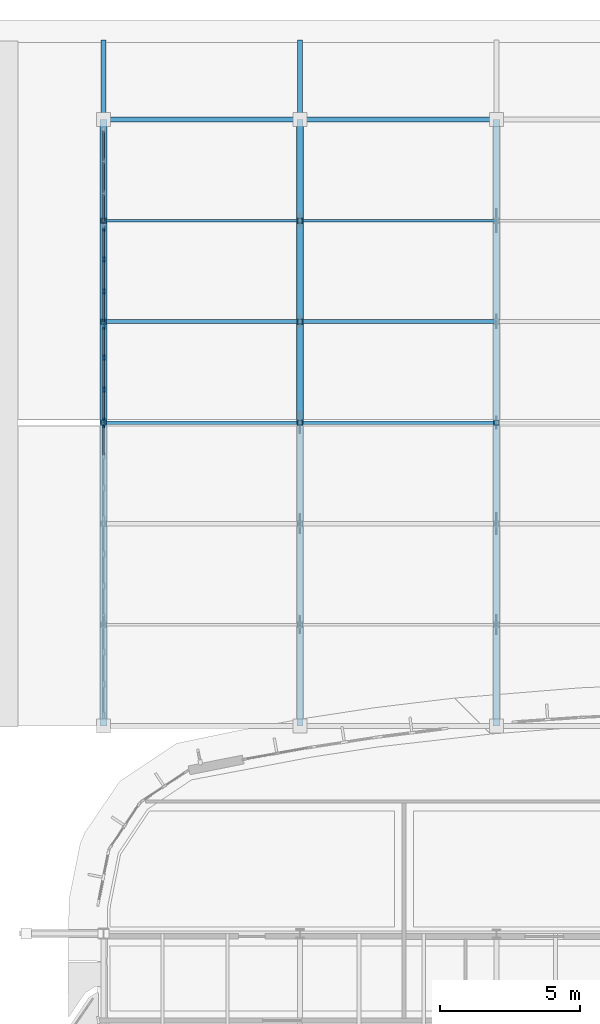
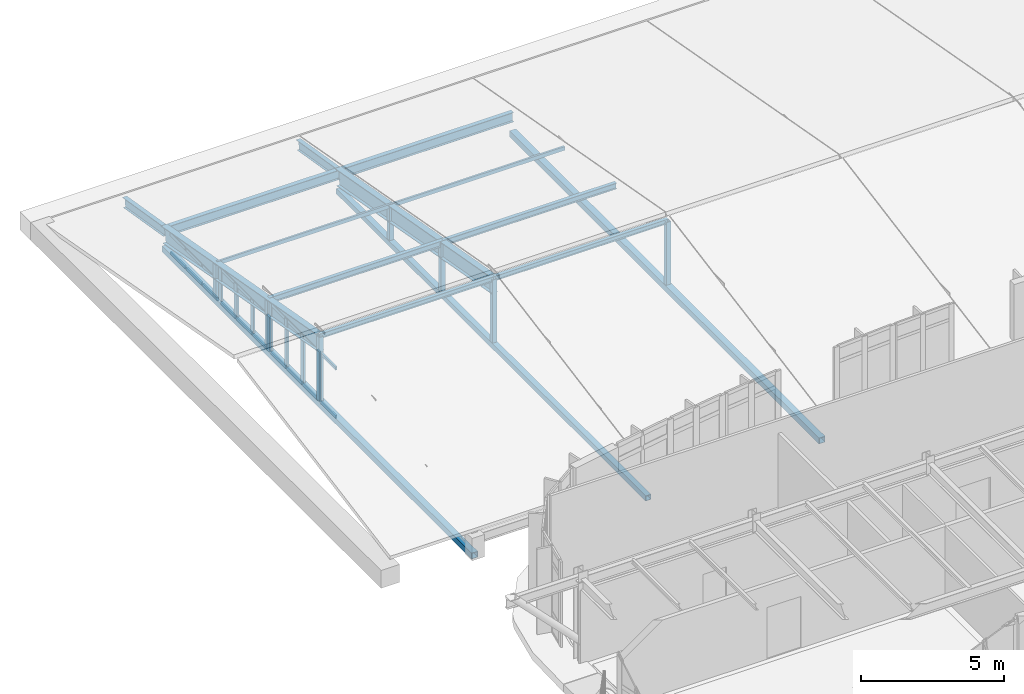
# One storey, part 37 of 105: 45 members, 6 beams, 4 elements without a shape of their own.
"""IFC4 building model written with IfcOpenShell, lengths in metres."""

from ifc_helpers import new_model, si_unit, direction, frame, origin, origin_2d, place, context, subcontext, project, spatial, rectangle, hollow_rectangle, i_section, extrude, material, material_profile, profile_set, type_object, element, aggregate, save


model = new_model("IFC4")

# Units and contexts
model_context = context("Model", 3, precision=1e-05, world=origin(), true_north=direction((0.0, 1.0)))
body_context = subcontext(model_context, "Body", "Model", "MODEL_VIEW")
ifc_project = project(units=[si_unit("LENGTHUNIT", "METRE"), si_unit("AREAUNIT", "SQUARE_METRE"), si_unit("VOLUMEUNIT", "CUBIC_METRE"), si_unit("PLANEANGLEUNIT", "RADIAN"), si_unit("MASSUNIT", "GRAM", prefix="KILO")], contexts=[model_context])

# Site, building, storey
site_placement = place(None, origin())
site = spatial("IfcSite", under=ifc_project, at=site_placement, CompositionType="ELEMENT")
building_placement = place(site_placement, origin())
building = spatial("IfcBuilding", under=site, at=building_placement, Name="Corveleigh Park Community Centre", CompositionType="ELEMENT")
storey_placement = place(building_placement, frame((0.0, 0.0, 8.699951171875)))
storey = spatial("IfcBuildingStorey", under=building, at=storey_placement, Name="L02", CompositionType="ELEMENT", Elevation=8.699951171875)

# Beams
ifc_material_1 = material(Name="Steel S355", Category="steel")
ifc_material_profile_1 = material_profile(ifc_material_1, i_section(OverallWidth=0.177978515625, OverallDepth=0.406494140625, WebThickness=0.0078125, FlangeThickness=0.0126953125, at=origin_2d()), Name="UKB 406x178x60", Category="steel")
ifc_profile_set_1 = profile_set([ifc_material_profile_1], Name="Steel S355")
beam_type_1 = type_object("IfcBeamType", Name="BM-STL-UKB406x60", PredefinedType="BEAM", material=ifc_profile_set_1)
for number, where, z_axis, x_axis, name in (
    (1, (11.205078125, 114.39990234375, 0.716796875), (1.0, 0.0, 0.0), (0.0, 1.0, 0.0), "V2 Eave Tie Beam"),
    (2, (18.205078125, 114.39990234375, 0.716796875), (1.0, 0.0, 0.0), (0.0, 1.0, 0.0), "V2 Eave Tie Beam"),
):
    element("IfcBeam", number, at=place(storey_placement, frame(where, z_axis=z_axis, x_axis=x_axis)), inside=storey, type_object=beam_type_1, Name=name, PredefinedType="BEAM", context=body_context, shape_type="SweptSolid", body=[
        extrude(i_section(OverallWidth=0.177978515625, OverallDepth=0.406494140625, WebThickness=0.0078125, FlangeThickness=0.0126953125, at=origin_2d()), origin(), (0.0, 0.0, 1.0), 6.989990234375),
    ])
ifc_material_profile_2 = material_profile(ifc_material_1, i_section(OverallWidth=0.1787109375, OverallDepth=0.409423828125, WebThickness=0.0087890625, FlangeThickness=0.014404296875, at=origin_2d()), Name="UKB 406x178x67", Category="steel")
ifc_profile_set_2 = profile_set([ifc_material_profile_2], Name="Steel S355")
beam_type_2 = type_object("IfcBeamType", Name="BM-STL-UKB406x67", PredefinedType="BEAM", material=ifc_profile_set_2)
for number, where, z_axis, x_axis, name in (
    (3, (11.199951171875, 114.409912109375, 0.7236328125), (0.0, 0.986431224699, -0.164175025322), (-1.0, 0.0, 0.0), "V2 North Sports Eave Outrigger 1"),
    (4, (18.199951171875, 114.409912109375, 0.7236328125), (0.0, 0.986431224699, -0.164175025322), (-1.0, 0.0, 0.0), "V2 North Sports Eave Outrigger 2"),
):
    element("IfcBeam", number, at=place(storey_placement, frame(where, z_axis=z_axis, x_axis=x_axis)), inside=storey, type_object=beam_type_2, Name=name, PredefinedType="BEAM", context=body_context, shape_type="SweptSolid", body=[
        extrude(i_section(OverallWidth=0.1787109375, OverallDepth=0.409423828125, WebThickness=0.0087890625, FlangeThickness=0.014404296875, at=origin_2d()), origin(), (0.0, 0.0, 1.0), 2.828369140625),
    ])
ifc_material_profile_3 = material_profile(ifc_material_1, i_section(OverallWidth=0.25439453125, OverallDepth=0.6875, WebThickness=0.01318359375, FlangeThickness=0.02099609375, at=origin_2d()), Name="UKB 686x254x152", Category="steel")
ifc_profile_set_3 = profile_set([ifc_material_profile_3], Name="Steel S355")
beam_type_3 = type_object("IfcBeamType", Name="BM-STL-UKB686x152", PredefinedType="BEAM", material=ifc_profile_set_3)
for number, where, z_axis, x_axis, name in (
    (5, (11.199951171875, 103.60009765625, 2.54833984375), (0.0, 0.984084187124, -0.177702877447), (-1.0, 0.0, 0.0), "V2 Portal Rafter N1"),
    (6, (18.199951171875, 103.60009765625, 2.54833984375), (0.0, 0.984084187124, -0.177702877447), (-1.0, 0.0, 0.0), "V2 Portal Rafter N2"),
):
    element("IfcBeam", number, at=place(storey_placement, frame(where, z_axis=z_axis, x_axis=x_axis)), inside=storey, type_object=beam_type_3, Name=name, PredefinedType="BEAM", context=body_context, shape_type="SweptSolid", body=[
        extrude(i_section(OverallWidth=0.25439453125, OverallDepth=0.6875, WebThickness=0.01318359375, FlangeThickness=0.02099609375, at=origin_2d()), origin(), (0.0, 0.0, 1.0), 10.974365234375),
    ])

# Curtain wall, member
ifc_material_2 = material(Name="Anodised aluminium 6063-T6", Category="aluminium")
curtain_wall_type = type_object("IfcCurtainWallType", Name="CW-SYS-V2-HALL", PredefinedType="NOTDEFINED", material=ifc_material_2)
curtain_wall_1_placement = place(storey_placement, origin())
curtain_wall_1 = element("IfcCurtainWall", 7, at=curtain_wall_1_placement, inside=storey, type_object=curtain_wall_type, Name="Sports Hall W Gable Clerestory 3", PredefinedType="NOTDEFINED")
ifc_material_profile_4 = material_profile(ifc_material_2, rectangle(XDim=0.070068359375, YDim=0.199951171875, at=origin_2d()), Name="ALU-M70x200", Category="aluminium")
ifc_profile_set_4 = profile_set([ifc_material_profile_4], Name="Anodised aluminium 6063-T6")
member_type_1 = type_object("IfcMemberType", Name="CWM-70x200", PredefinedType="MULLION", material=ifc_profile_set_4)
member_1_placement = place(storey_placement, frame((11.199951171875, 103.52490234375, 0.0), z_axis=(0.0, 0.0, 1.0), x_axis=(-1.0, 0.0, 0.0)))
member_1 = element("IfcMember", 8, at=member_1_placement, type_object=member_type_1, Name="CW04 mullion 4", PredefinedType="MULLION", context=body_context, shape_type="SweptSolid", body=[
    extrude(rectangle(XDim=0.070068359375, YDim=0.199951171875, at=origin_2d()), origin(), (0.0, 0.0, 1.0), 2.135009765625),
])

# Curtain wall, members
curtain_wall_2_placement = place(storey_placement, origin())
curtain_wall_2 = element("IfcCurtainWall", 9, at=curtain_wall_2_placement, inside=storey, type_object=curtain_wall_type, Name="Sports Hall W Gable Clerestory 4", PredefinedType="NOTDEFINED")
member_2_placement = place(storey_placement, frame((11.199951171875, 103.675048828125, 0.0), z_axis=(0.0, 0.0, 1.0), x_axis=(-1.0, 0.0, 0.0)))
member_2 = element("IfcMember", 10, at=member_2_placement, type_object=member_type_1, Name="CW04 mullion 1", PredefinedType="MULLION", context=body_context, shape_type="SweptSolid", body=[
    extrude(rectangle(XDim=0.070068359375, YDim=0.199951171875, at=origin_2d()), origin(), (0.0, 0.0, 1.0), 2.135009765625),
])
member_3_placement = place(storey_placement, frame((11.199951171875, 104.780029296875, 0.0), z_axis=(0.0, 0.0, 1.0), x_axis=(-1.0, 0.0, 0.0)))
member_3 = element("IfcMember", 11, at=member_3_placement, type_object=member_type_1, Name="CW04 mullion 2", PredefinedType="MULLION", context=body_context, shape_type="SweptSolid", body=[
    extrude(rectangle(XDim=0.070068359375, YDim=0.199951171875, at=origin_2d()), origin(), (0.0, 0.0, 1.0), 2.135009765625),
])
member_4_placement = place(storey_placement, frame((11.199951171875, 105.919921875, 0.0), z_axis=(0.0, 0.0, 1.0), x_axis=(-1.0, 0.0, 0.0)))
member_4 = element("IfcMember", 12, at=member_4_placement, type_object=member_type_1, Name="CW04 mullion 3", PredefinedType="MULLION", context=body_context, shape_type="SweptSolid", body=[
    extrude(rectangle(XDim=0.070068359375, YDim=0.199951171875, at=origin_2d()), origin(), (0.0, 0.0, 1.0), 2.135009765625),
])
member_5_placement = place(storey_placement, frame((11.199951171875, 107.02490234375, 0.0), z_axis=(0.0, 0.0, 1.0), x_axis=(-1.0, 0.0, 0.0)))
member_5 = element("IfcMember", 13, at=member_5_placement, type_object=member_type_1, Name="CW04 mullion 4", PredefinedType="MULLION", context=body_context, shape_type="SweptSolid", body=[
    extrude(rectangle(XDim=0.070068359375, YDim=0.199951171875, at=origin_2d()), origin(), (0.0, 0.0, 1.0), 2.135009765625),
])

curtain_wall_3_placement = place(storey_placement, origin())
curtain_wall_3 = element("IfcCurtainWall", 14, at=curtain_wall_3_placement, inside=storey, type_object=curtain_wall_type, Name="Sports Hall W Gable Clerestory 5", PredefinedType="NOTDEFINED")
member_6_placement = place(storey_placement, frame((11.199951171875, 107.175048828125, 0.0), z_axis=(0.0, 0.0, 1.0), x_axis=(-1.0, 0.0, 0.0)))
member_6 = element("IfcMember", 15, at=member_6_placement, type_object=member_type_1, Name="CW04 mullion 1", PredefinedType="MULLION", context=body_context, shape_type="SweptSolid", body=[
    extrude(rectangle(XDim=0.070068359375, YDim=0.199951171875, at=origin_2d()), origin(), (0.0, 0.0, 1.0), 1.5029296875),
])
member_7_placement = place(storey_placement, frame((11.199951171875, 108.280029296875, 0.0), z_axis=(0.0, 0.0, 1.0), x_axis=(-1.0, 0.0, 0.0)))
member_7 = element("IfcMember", 16, at=member_7_placement, type_object=member_type_1, Name="CW04 mullion 2", PredefinedType="MULLION", context=body_context, shape_type="SweptSolid", body=[
    extrude(rectangle(XDim=0.070068359375, YDim=0.199951171875, at=origin_2d()), origin(), (0.0, 0.0, 1.0), 1.5029296875),
])
member_8_placement = place(storey_placement, frame((11.199951171875, 109.419921875, 0.0), z_axis=(0.0, 0.0, 1.0), x_axis=(-1.0, 0.0, 0.0)))
member_8 = element("IfcMember", 17, at=member_8_placement, type_object=member_type_1, Name="CW04 mullion 3", PredefinedType="MULLION", context=body_context, shape_type="SweptSolid", body=[
    extrude(rectangle(XDim=0.070068359375, YDim=0.199951171875, at=origin_2d()), origin(), (0.0, 0.0, 1.0), 1.5029296875),
])
member_9_placement = place(storey_placement, frame((11.199951171875, 110.52490234375, 0.0), z_axis=(0.0, 0.0, 1.0), x_axis=(-1.0, 0.0, 0.0)))
member_9 = element("IfcMember", 18, at=member_9_placement, type_object=member_type_1, Name="CW04 mullion 4", PredefinedType="MULLION", context=body_context, shape_type="SweptSolid", body=[
    extrude(rectangle(XDim=0.070068359375, YDim=0.199951171875, at=origin_2d()), origin(), (0.0, 0.0, 1.0), 1.5029296875),
])

# Member
ifc_material_profile_5 = material_profile(ifc_material_2, rectangle(XDim=0.06494140625, YDim=0.139892578125, at=origin_2d()), Name="ALU-T65x140", Category="aluminium")
ifc_profile_set_5 = profile_set([ifc_material_profile_5], Name="Anodised aluminium 6063-T6")
member_type_2 = type_object("IfcMemberType", Name="CWT-65x140", PredefinedType="USERDEFINED", material=ifc_profile_set_5)
member_10_placement = place(storey_placement, frame((11.199951171875, 102.455078125, 0.032470703125), z_axis=(0.0, 1.0, 0.0), x_axis=(-1.0, 0.0, 0.0)))
member_10 = element("IfcMember", 19, at=member_10_placement, type_object=member_type_2, Name="CW04 transom 3.1", ObjectType="TRANSOM", PredefinedType="USERDEFINED", context=body_context, shape_type="SweptSolid", body=[
    extrude(rectangle(XDim=0.06494140625, YDim=0.139892578125, at=origin_2d()), origin(), (0.0, 0.0, 1.0), 1.034912109375),
])

member_11_placement = place(storey_placement, frame((11.199951171875, 102.455078125, 2.1025390625), z_axis=(0.0, 1.0, 0.0), x_axis=(-1.0, 0.0, 0.0)))
member_11 = element("IfcMember", 20, at=member_11_placement, type_object=member_type_2, Name="CW04 transom 3.2", ObjectType="TRANSOM", PredefinedType="USERDEFINED", context=body_context, shape_type="SweptSolid", body=[
    extrude(rectangle(XDim=0.06494140625, YDim=0.139892578125, at=origin_2d()), origin(), (0.0, 0.0, 1.0), 1.034912109375),
])

aggregate(curtain_wall_1, [member_1, member_10, member_11])

member_12_placement = place(storey_placement, frame((11.199951171875, 103.7099609375, 0.032470703125), z_axis=(0.0, 1.0, 0.0), x_axis=(-1.0, 0.0, 0.0)))
member_12 = element("IfcMember", 21, at=member_12_placement, type_object=member_type_2, Name="CW04 transom 1.1", ObjectType="TRANSOM", PredefinedType="USERDEFINED", context=body_context, shape_type="SweptSolid", body=[
    extrude(rectangle(XDim=0.06494140625, YDim=0.139892578125, at=origin_2d()), origin(), (0.0, 0.0, 1.0), 1.03515625),
])

member_13_placement = place(storey_placement, frame((11.199951171875, 103.7099609375, 2.1025390625), z_axis=(0.0, 1.0, 0.0), x_axis=(-1.0, 0.0, 0.0)))
member_13 = element("IfcMember", 22, at=member_13_placement, type_object=member_type_2, Name="CW04 transom 1.2", ObjectType="TRANSOM", PredefinedType="USERDEFINED", context=body_context, shape_type="SweptSolid", body=[
    extrude(rectangle(XDim=0.06494140625, YDim=0.139892578125, at=origin_2d()), origin(), (0.0, 0.0, 1.0), 1.03515625),
])

member_14_placement = place(storey_placement, frame((11.199951171875, 104.81494140625, 0.032470703125), z_axis=(0.0, 1.0, 0.0), x_axis=(-1.0, 0.0, 0.0)))
member_14 = element("IfcMember", 23, at=member_14_placement, type_object=member_type_2, Name="CW04 transom 2.1", ObjectType="TRANSOM", PredefinedType="USERDEFINED", context=body_context, shape_type="SweptSolid", body=[
    extrude(rectangle(XDim=0.06494140625, YDim=0.139892578125, at=origin_2d()), origin(), (0.0, 0.0, 1.0), 1.070068359375),
])

member_15_placement = place(storey_placement, frame((11.199951171875, 104.81494140625, 2.1025390625), z_axis=(0.0, 1.0, 0.0), x_axis=(-1.0, 0.0, 0.0)))
member_15 = element("IfcMember", 24, at=member_15_placement, type_object=member_type_2, Name="CW04 transom 2.2", ObjectType="TRANSOM", PredefinedType="USERDEFINED", context=body_context, shape_type="SweptSolid", body=[
    extrude(rectangle(XDim=0.06494140625, YDim=0.139892578125, at=origin_2d()), origin(), (0.0, 0.0, 1.0), 1.070068359375),
])

member_16_placement = place(storey_placement, frame((11.199951171875, 105.955078125, 0.032470703125), z_axis=(0.0, 1.0, 0.0), x_axis=(-1.0, 0.0, 0.0)))
member_16 = element("IfcMember", 25, at=member_16_placement, type_object=member_type_2, Name="CW04 transom 3.1", ObjectType="TRANSOM", PredefinedType="USERDEFINED", context=body_context, shape_type="SweptSolid", body=[
    extrude(rectangle(XDim=0.06494140625, YDim=0.139892578125, at=origin_2d()), origin(), (0.0, 0.0, 1.0), 1.034912109375),
])

member_17_placement = place(storey_placement, frame((11.199951171875, 105.955078125, 2.1025390625), z_axis=(0.0, 1.0, 0.0), x_axis=(-1.0, 0.0, 0.0)))
member_17 = element("IfcMember", 26, at=member_17_placement, type_object=member_type_2, Name="CW04 transom 3.2", ObjectType="TRANSOM", PredefinedType="USERDEFINED", context=body_context, shape_type="SweptSolid", body=[
    extrude(rectangle(XDim=0.06494140625, YDim=0.139892578125, at=origin_2d()), origin(), (0.0, 0.0, 1.0), 1.034912109375),
])

aggregate(curtain_wall_2, [member_2, member_3, member_4, member_5, member_12, member_13, member_14, member_15, member_16, member_17])

member_18_placement = place(storey_placement, frame((11.199951171875, 107.2099609375, 0.032470703125), z_axis=(0.0, 1.0, 0.0), x_axis=(-1.0, 0.0, 0.0)))
member_18 = element("IfcMember", 27, at=member_18_placement, type_object=member_type_2, Name="CW04 transom 1.1", ObjectType="TRANSOM", PredefinedType="USERDEFINED", context=body_context, shape_type="SweptSolid", body=[
    extrude(rectangle(XDim=0.06494140625, YDim=0.139892578125, at=origin_2d()), origin(), (0.0, 0.0, 1.0), 1.03515625),
])

member_19_placement = place(storey_placement, frame((11.199951171875, 107.2099609375, 1.470458984375), z_axis=(0.0, 1.0, 0.0), x_axis=(-1.0, 0.0, 0.0)))
member_19 = element("IfcMember", 28, at=member_19_placement, type_object=member_type_2, Name="CW04 transom 1.2", ObjectType="TRANSOM", PredefinedType="USERDEFINED", context=body_context, shape_type="SweptSolid", body=[
    extrude(rectangle(XDim=0.06494140625, YDim=0.139892578125, at=origin_2d()), origin(), (0.0, 0.0, 1.0), 1.03515625),
])

member_20_placement = place(storey_placement, frame((11.199951171875, 108.31494140625, 0.032470703125), z_axis=(0.0, 1.0, 0.0), x_axis=(-1.0, 0.0, 0.0)))
member_20 = element("IfcMember", 29, at=member_20_placement, type_object=member_type_2, Name="CW04 transom 2.1", ObjectType="TRANSOM", PredefinedType="USERDEFINED", context=body_context, shape_type="SweptSolid", body=[
    extrude(rectangle(XDim=0.06494140625, YDim=0.139892578125, at=origin_2d()), origin(), (0.0, 0.0, 1.0), 1.070068359375),
])

member_21_placement = place(storey_placement, frame((11.199951171875, 108.31494140625, 1.470458984375), z_axis=(0.0, 1.0, 0.0), x_axis=(-1.0, 0.0, 0.0)))
member_21 = element("IfcMember", 30, at=member_21_placement, type_object=member_type_2, Name="CW04 transom 2.2", ObjectType="TRANSOM", PredefinedType="USERDEFINED", context=body_context, shape_type="SweptSolid", body=[
    extrude(rectangle(XDim=0.06494140625, YDim=0.139892578125, at=origin_2d()), origin(), (0.0, 0.0, 1.0), 1.070068359375),
])

member_22_placement = place(storey_placement, frame((11.199951171875, 109.455078125, 0.032470703125), z_axis=(0.0, 1.0, 0.0), x_axis=(-1.0, 0.0, 0.0)))
member_22 = element("IfcMember", 31, at=member_22_placement, type_object=member_type_2, Name="CW04 transom 3.1", ObjectType="TRANSOM", PredefinedType="USERDEFINED", context=body_context, shape_type="SweptSolid", body=[
    extrude(rectangle(XDim=0.06494140625, YDim=0.139892578125, at=origin_2d()), origin(), (0.0, 0.0, 1.0), 1.034912109375),
])

member_23_placement = place(storey_placement, frame((11.199951171875, 109.455078125, 1.470458984375), z_axis=(0.0, 1.0, 0.0), x_axis=(-1.0, 0.0, 0.0)))
member_23 = element("IfcMember", 32, at=member_23_placement, type_object=member_type_2, Name="CW04 transom 3.2", ObjectType="TRANSOM", PredefinedType="USERDEFINED", context=body_context, shape_type="SweptSolid", body=[
    extrude(rectangle(XDim=0.06494140625, YDim=0.139892578125, at=origin_2d()), origin(), (0.0, 0.0, 1.0), 1.034912109375),
])

aggregate(curtain_wall_3, [member_6, member_7, member_8, member_9, member_18, member_19, member_20, member_21, member_22, member_23])

# Curtain wall, members
curtain_wall_4_placement = place(storey_placement, origin())
curtain_wall_4 = element("IfcCurtainWall", 33, at=curtain_wall_4_placement, inside=storey, type_object=curtain_wall_type, Name="Sports Hall W Gable Clerestory 6", PredefinedType="NOTDEFINED")
member_24_placement = place(storey_placement, frame((11.199951171875, 110.7099609375, 0.032470703125), z_axis=(0.0, 1.0, 0.0), x_axis=(-1.0, 0.0, 0.0)))
member_24 = element("IfcMember", 34, at=member_24_placement, type_object=member_type_2, Name="CW04 transom 1.1", ObjectType="TRANSOM", PredefinedType="USERDEFINED", context=body_context, shape_type="SweptSolid", body=[
    extrude(rectangle(XDim=0.06494140625, YDim=0.139892578125, at=origin_2d()), origin(), (0.0, 0.0, 1.0), 1.03515625),
])
member_25_placement = place(storey_placement, frame((11.199951171875, 110.7099609375, 0.838623046875), z_axis=(0.0, 1.0, 0.0), x_axis=(-1.0, 0.0, 0.0)))
member_25 = element("IfcMember", 35, at=member_25_placement, type_object=member_type_2, Name="CW04 transom 1.2", ObjectType="TRANSOM", PredefinedType="USERDEFINED", context=body_context, shape_type="SweptSolid", body=[
    extrude(rectangle(XDim=0.06494140625, YDim=0.139892578125, at=origin_2d()), origin(), (0.0, 0.0, 1.0), 1.03515625),
])
member_26_placement = place(storey_placement, frame((11.199951171875, 111.81494140625, 0.032470703125), z_axis=(0.0, 1.0, 0.0), x_axis=(-1.0, 0.0, 0.0)))
member_26 = element("IfcMember", 36, at=member_26_placement, type_object=member_type_2, Name="CW04 transom 2.1", ObjectType="TRANSOM", PredefinedType="USERDEFINED", context=body_context, shape_type="SweptSolid", body=[
    extrude(rectangle(XDim=0.06494140625, YDim=0.139892578125, at=origin_2d()), origin(), (0.0, 0.0, 1.0), 1.070068359375),
])
member_27_placement = place(storey_placement, frame((11.199951171875, 111.81494140625, 0.838623046875), z_axis=(0.0, 1.0, 0.0), x_axis=(-1.0, 0.0, 0.0)))
member_27 = element("IfcMember", 37, at=member_27_placement, type_object=member_type_2, Name="CW04 transom 2.2", ObjectType="TRANSOM", PredefinedType="USERDEFINED", context=body_context, shape_type="SweptSolid", body=[
    extrude(rectangle(XDim=0.06494140625, YDim=0.139892578125, at=origin_2d()), origin(), (0.0, 0.0, 1.0), 1.070068359375),
])
member_28_placement = place(storey_placement, frame((11.199951171875, 112.955078125, 0.032470703125), z_axis=(0.0, 1.0, 0.0), x_axis=(-1.0, 0.0, 0.0)))
member_28 = element("IfcMember", 38, at=member_28_placement, type_object=member_type_2, Name="CW04 transom 3.1", ObjectType="TRANSOM", PredefinedType="USERDEFINED", context=body_context, shape_type="SweptSolid", body=[
    extrude(rectangle(XDim=0.06494140625, YDim=0.139892578125, at=origin_2d()), origin(), (0.0, 0.0, 1.0), 1.034912109375),
])
member_29_placement = place(storey_placement, frame((11.199951171875, 112.955078125, 0.838623046875), z_axis=(0.0, 1.0, 0.0), x_axis=(-1.0, 0.0, 0.0)))
member_29 = element("IfcMember", 39, at=member_29_placement, type_object=member_type_2, Name="CW04 transom 3.2", ObjectType="TRANSOM", PredefinedType="USERDEFINED", context=body_context, shape_type="SweptSolid", body=[
    extrude(rectangle(XDim=0.06494140625, YDim=0.139892578125, at=origin_2d()), origin(), (0.0, 0.0, 1.0), 1.034912109375),
])
aggregate(curtain_wall_4, [member_24, member_25, member_26, member_27, member_28, member_29])

# Members
ifc_material_profile_6 = material_profile(ifc_material_1, hollow_rectangle(XDim=0.219970703125, YDim=0.219970703125, WallThickness=0.012451171875, at=origin_2d()), Name="SHS 220x220x12.5", Category="steel")
ifc_profile_set_6 = profile_set([ifc_material_profile_6], Name="Steel S355")
member_type_3 = type_object("IfcMemberType", Name="MEM-CHD-SHS220", PredefinedType="CHORD", material=ifc_profile_set_6)
member_30_placement = place(storey_placement, frame((18.199951171875, 92.800048828125, 0.0), z_axis=(0.0, 1.0, 0.0), x_axis=(-1.0, 0.0, 0.0)))
element("IfcMember", 40, at=member_30_placement, inside=storey, type_object=member_type_3, Name="V2 Truss 2 Bottom Tie", PredefinedType="CHORD", context=body_context, shape_type="SweptSolid", body=[
    extrude(hollow_rectangle(XDim=0.219970703125, YDim=0.219970703125, WallThickness=0.012451171875, at=origin_2d()), origin(), (0.0, 0.0, 1.0), 21.599853515625),
])
ifc_material_profile_7 = material_profile(ifc_material_1, hollow_rectangle(XDim=0.25, YDim=0.25, WallThickness=0.012451171875, at=origin_2d()), Name="SHS 250x250x12.5", Category="steel")
ifc_profile_set_7 = profile_set([ifc_material_profile_7], Name="Steel S355")
member_type_4 = type_object("IfcMemberType", Name="MEM-CHD-SHS250", PredefinedType="CHORD", material=ifc_profile_set_7)
for number, where, z_axis, x_axis, name in (
    (41, (11.199951171875, 92.800048828125, 0.0), (0.0, 1.0, 0.0), (-1.0, 0.0, 0.0), "V2 Truss 1 Bottom Tie"),
    (42, (25.199951171875, 92.800048828125, 0.0), (0.0, 1.0, 0.0), (-1.0, 0.0, 0.0), "V2 Truss 3 Bottom Tie"),
):
    element("IfcMember", number, at=place(storey_placement, frame(where, z_axis=z_axis, x_axis=x_axis)), inside=storey, type_object=member_type_4, Name=name, PredefinedType="CHORD", context=body_context, shape_type="SweptSolid", body=[
        extrude(hollow_rectangle(XDim=0.25, YDim=0.25, WallThickness=0.012451171875, at=origin_2d()), origin(), (0.0, 0.0, 1.0), 21.599853515625),
    ])
ifc_material_profile_8 = material_profile(ifc_material_1, hollow_rectangle(XDim=0.080078125, YDim=0.159912109375, WallThickness=0.008056640625, at=origin_2d()), Name="RHS 160x80x8.0", Category="steel")
ifc_profile_set_8 = profile_set([ifc_material_profile_8], Name="Steel S355")
member_type_5 = type_object("IfcMemberType", Name="MEM-PRL-RHS160", PredefinedType="PURLIN", material=ifc_profile_set_8)
for number, where, z_axis, x_axis, name in (
    (43, (11.199951171875, 110.800048828125, 1.53515625), (1.0, 0.0, 0.0), (0.0, 1.0, 0.0), "V2 Hall Roof Purlin"),
    (44, (18.199951171875, 110.800048828125, 1.53515625), (1.0, 0.0, 0.0), (0.0, 1.0, 0.0), "V2 Hall Roof Purlin"),
):
    element("IfcMember", number, at=place(storey_placement, frame(where, z_axis=z_axis, x_axis=x_axis)), inside=storey, type_object=member_type_5, Name=name, PredefinedType="PURLIN", context=body_context, shape_type="SweptSolid", body=[
        extrude(hollow_rectangle(XDim=0.080078125, YDim=0.159912109375, WallThickness=0.008056640625, at=origin_2d()), origin(), (0.0, 0.0, 1.0), 7.0),
    ])
ifc_material_profile_9 = material_profile(ifc_material_1, i_section(OverallWidth=0.13330078125, OverallDepth=0.203125, WebThickness=0.005615234375, FlangeThickness=0.0078125, at=origin_2d()), Name="UKB 203x133x25", Category="steel")
ifc_profile_set_9 = profile_set([ifc_material_profile_9], Name="Steel S355")
member_type_6 = type_object("IfcMemberType", Name="MEM-PRL-UKB203", PredefinedType="PURLIN", material=ifc_profile_set_9)
for number, where, z_axis, x_axis, name in (
    (45, (11.199951171875, 103.60009765625, 2.8134765625), (1.0, 0.0, 0.0), (0.0, 1.0, 0.0), "V2 Hall Roof Purlin"),
    (46, (18.199951171875, 103.60009765625, 2.8134765625), (1.0, 0.0, 0.0), (0.0, 1.0, 0.0), "V2 Hall Roof Purlin"),
):
    element("IfcMember", number, at=place(storey_placement, frame(where, z_axis=z_axis, x_axis=x_axis)), inside=storey, type_object=member_type_6, Name=name, PredefinedType="PURLIN", context=body_context, shape_type="SweptSolid", body=[
        extrude(i_section(OverallWidth=0.13330078125, OverallDepth=0.203125, WebThickness=0.005615234375, FlangeThickness=0.0078125, at=origin_2d()), origin(), (0.0, 0.0, 1.0), 7.0),
    ])
ifc_material_profile_10 = material_profile(ifc_material_1, i_section(OverallWidth=0.14599609375, OverallDepth=0.25146484375, WebThickness=0.006103515625, FlangeThickness=0.008544921875, at=origin_2d()), Name="UKB 254x146x31", Category="steel")
ifc_profile_set_10 = profile_set([ifc_material_profile_10], Name="Steel S355")
member_type_7 = type_object("IfcMemberType", Name="MEM-PRL-UKB254", PredefinedType="PURLIN", material=ifc_profile_set_10)
for number, where, z_axis, x_axis, name in (
    (47, (11.199951171875, 107.199951171875, 2.139404296875), (1.0, 0.0, 0.0), (0.0, 1.0, 0.0), "V2 Hall Roof Purlin"),
    (48, (18.199951171875, 107.199951171875, 2.139404296875), (1.0, 0.0, 0.0), (0.0, 1.0, 0.0), "V2 Hall Roof Purlin"),
):
    element("IfcMember", number, at=place(storey_placement, frame(where, z_axis=z_axis, x_axis=x_axis)), inside=storey, type_object=member_type_7, Name=name, PredefinedType="PURLIN", context=body_context, shape_type="SweptSolid", body=[
        extrude(i_section(OverallWidth=0.14599609375, OverallDepth=0.25146484375, WebThickness=0.006103515625, FlangeThickness=0.008544921875, at=origin_2d()), origin(), (0.0, 0.0, 1.0), 7.0),
    ])
ifc_material_profile_11 = material_profile(ifc_material_1, hollow_rectangle(XDim=0.179931640625, YDim=0.179931640625, WallThickness=0.010009765625, at=origin_2d()), Name="SHS 180x180x10.0", Category="steel")
ifc_profile_set_11 = profile_set([ifc_material_profile_11], Name="Steel S355")
member_type_8 = type_object("IfcMemberType", Name="MEM-STR-SHS180I", PredefinedType="STRUT", material=ifc_profile_set_11)
member_31_placement = place(storey_placement, frame((11.199951171875, 103.60009765625, 0.0), z_axis=(0.0, 0.0, 1.0), x_axis=(1.0, 0.0, 0.0)))
element("IfcMember", 49, at=member_31_placement, inside=storey, type_object=member_type_8, Name="V2 Truss 1 Hanger Post", PredefinedType="STRUT", context=body_context, shape_type="SweptSolid", body=[
    extrude(hollow_rectangle(XDim=0.179931640625, YDim=0.179931640625, WallThickness=0.010009765625, at=origin_2d()), origin(), (0.0, 0.0, 1.0), 2.800048828125),
])
member_32_placement = place(storey_placement, frame((11.199951171875, 107.199951171875, 0.0), z_axis=(0.0, 0.0, 1.0), x_axis=(1.0, 0.0, 0.0)))
element("IfcMember", 50, at=member_32_placement, inside=storey, type_object=member_type_8, Name="V2 Truss 1 Hanger Post", PredefinedType="STRUT", context=body_context, shape_type="SweptSolid", body=[
    extrude(hollow_rectangle(XDim=0.179931640625, YDim=0.179931640625, WallThickness=0.010009765625, at=origin_2d()), origin(), (0.0, 0.0, 1.0), 2.150146484375),
])
member_33_placement = place(storey_placement, frame((11.199951171875, 110.800048828125, 0.0), z_axis=(0.0, 0.0, 1.0), x_axis=(1.0, 0.0, 0.0)))
element("IfcMember", 51, at=member_33_placement, inside=storey, type_object=member_type_8, Name="V2 Truss 1 Hanger Post", PredefinedType="STRUT", context=body_context, shape_type="SweptSolid", body=[
    extrude(hollow_rectangle(XDim=0.179931640625, YDim=0.179931640625, WallThickness=0.010009765625, at=origin_2d()), origin(), (0.0, 0.0, 1.0), 1.5),
])
member_34_placement = place(storey_placement, frame((18.199951171875, 103.60009765625, 0.0), z_axis=(0.0, 0.0, 1.0), x_axis=(1.0, 0.0, 0.0)))
element("IfcMember", 52, at=member_34_placement, inside=storey, type_object=member_type_8, Name="V2 Truss 2 Hanger Post", PredefinedType="STRUT", context=body_context, shape_type="SweptSolid", body=[
    extrude(hollow_rectangle(XDim=0.179931640625, YDim=0.179931640625, WallThickness=0.010009765625, at=origin_2d()), origin(), (0.0, 0.0, 1.0), 2.800048828125),
])
member_35_placement = place(storey_placement, frame((18.199951171875, 107.199951171875, 0.0), z_axis=(0.0, 0.0, 1.0), x_axis=(1.0, 0.0, 0.0)))
element("IfcMember", 53, at=member_35_placement, inside=storey, type_object=member_type_8, Name="V2 Truss 2 Hanger Post", PredefinedType="STRUT", context=body_context, shape_type="SweptSolid", body=[
    extrude(hollow_rectangle(XDim=0.179931640625, YDim=0.179931640625, WallThickness=0.010009765625, at=origin_2d()), origin(), (0.0, 0.0, 1.0), 2.150146484375),
])
member_36_placement = place(storey_placement, frame((18.199951171875, 110.800048828125, 0.0), z_axis=(0.0, 0.0, 1.0), x_axis=(1.0, 0.0, 0.0)))
element("IfcMember", 54, at=member_36_placement, inside=storey, type_object=member_type_8, Name="V2 Truss 2 Hanger Post", PredefinedType="STRUT", context=body_context, shape_type="SweptSolid", body=[
    extrude(hollow_rectangle(XDim=0.179931640625, YDim=0.179931640625, WallThickness=0.010009765625, at=origin_2d()), origin(), (0.0, 0.0, 1.0), 1.5),
])
member_37_placement = place(storey_placement, frame((25.199951171875, 103.60009765625, 0.0), z_axis=(0.0, 0.0, 1.0), x_axis=(1.0, 0.0, 0.0)))
element("IfcMember", 55, at=member_37_placement, inside=storey, type_object=member_type_8, Name="V2 Truss 3 Hanger Post", PredefinedType="STRUT", context=body_context, shape_type="SweptSolid", body=[
    extrude(hollow_rectangle(XDim=0.179931640625, YDim=0.179931640625, WallThickness=0.010009765625, at=origin_2d()), origin(), (0.0, 0.0, 1.0), 2.800048828125),
])

save(model, "model.ifc")
